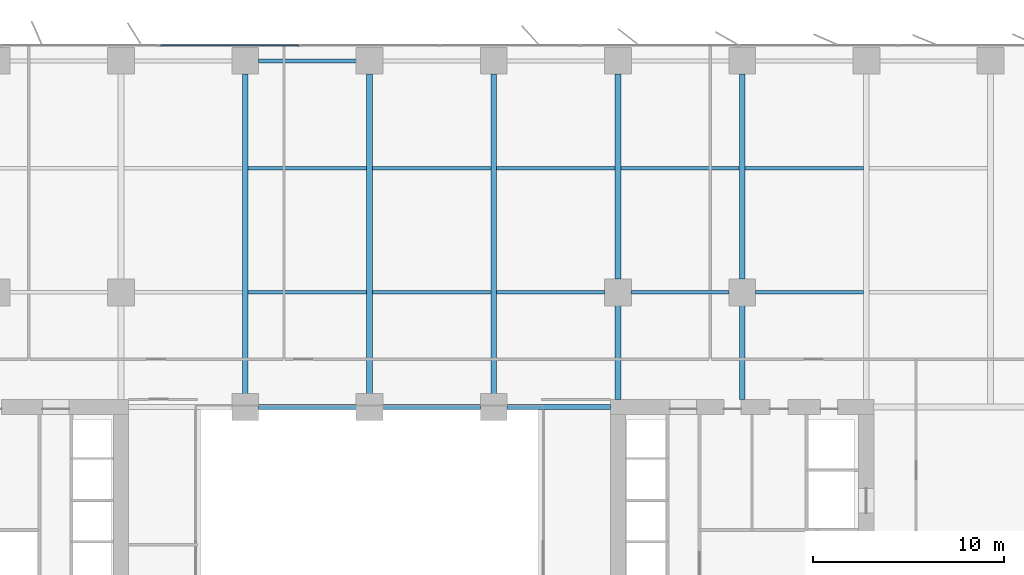
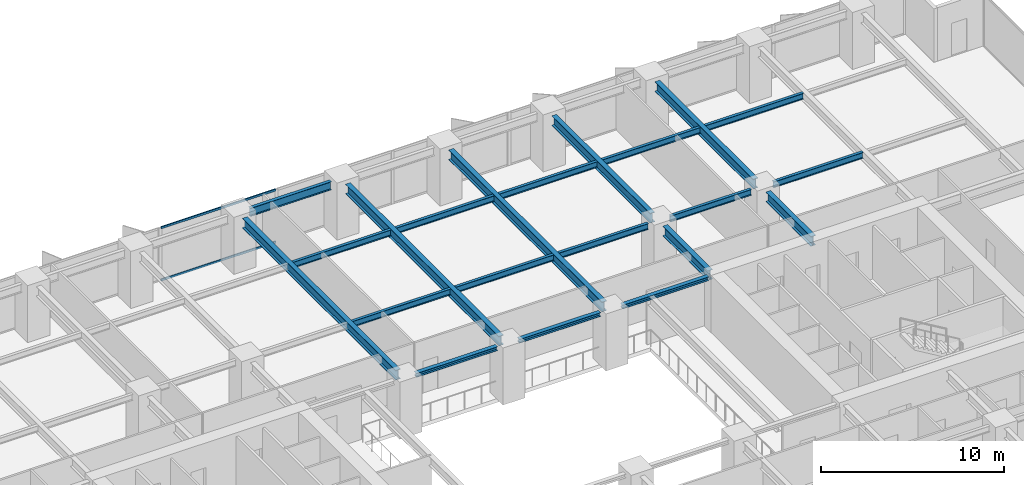
# One storey, part 8 of 20: 21 beams, 2 members, 1 element without a shape of its own.
"""IFC4 building model written with IfcOpenShell, lengths in metres."""

from ifc_helpers import new_model, si_unit, direction, frame, origin, origin_2d, place, context, subcontext, project, spatial, rectangle, i_section, extrude, material, layer, layer_set, material_profile, profile_set, type_object, element, aggregate, save


model = new_model("IFC4")

# Units and contexts
model_context = context("Model", 3, precision=1e-05, world=origin(), true_north=direction((0.0, 1.0)))
body_context = subcontext(model_context, "Body", "Model", "MODEL_VIEW")
ifc_project = project(units=[si_unit("LENGTHUNIT", "METRE"), si_unit("AREAUNIT", "SQUARE_METRE"), si_unit("VOLUMEUNIT", "CUBIC_METRE"), si_unit("PLANEANGLEUNIT", "RADIAN"), si_unit("MASSUNIT", "GRAM", prefix="KILO")], contexts=[model_context])

# Site, building, storey
site_placement = place(None, origin())
site = spatial("IfcSite", under=ifc_project, at=site_placement, CompositionType="ELEMENT")
building_placement = place(site_placement, origin())
building = spatial("IfcBuilding", under=site, at=building_placement, Name="Putna Gate Headquarters", CompositionType="ELEMENT")
storey_placement = place(building_placement, frame((0.0, 0.0, 69.60009765625)))
storey = spatial("IfcBuildingStorey", under=building, at=storey_placement, Name="L16", CompositionType="ELEMENT", Elevation=69.60009765625)

# Beams
ifc_material_1 = material(Name="Steel S355J2", Category="steel")
ifc_material_profile_1 = material_profile(ifc_material_1, i_section(OverallWidth=0.260009765625, OverallDepth=0.260009765625, WebThickness=0.010009765625, FlangeThickness=0.017578125, at=origin_2d()), Name="Steel S355J2")
ifc_profile_set_1 = profile_set([ifc_material_profile_1], Name="Steel S355J2")
beam_type_1 = type_object("IfcBeamType", Name="BM-ATRIUM-HEB260", PredefinedType="BEAM", material=ifc_profile_set_1)
for number, where, z_axis, x_axis, name in (
    (1, (33.18798828125, 33.0, 3.419921875), (1.0, 0.0, 0.0), (0.0, 1.0, 0.0), "L16 Atrium Edge Beam AN2"),
    (2, (39.68798828125, 33.0, 3.419921875), (1.0, 0.0, 0.0), (0.0, 1.0, 0.0), "L16 Atrium Edge Beam AN3"),
):
    element("IfcBeam", number, at=place(storey_placement, frame(where, z_axis=z_axis, x_axis=x_axis)), inside=storey, type_object=beam_type_1, Name=name, PredefinedType="BEAM", context=body_context, shape_type="SweptSolid", body=[
        extrude(i_section(OverallWidth=0.260009765625, OverallDepth=0.260009765625, WebThickness=0.010009765625, FlangeThickness=0.017578125, at=origin_2d()), origin(), (0.0, 0.0, 1.0), 5.1240234375),
    ])
beam_1_placement = place(storey_placement, frame((46.18798828125, 33.0, 3.419921875), z_axis=(1.0, 0.0, 0.0), x_axis=(0.0, 1.0, 0.0)))
element("IfcBeam", 3, at=beam_1_placement, inside=storey, type_object=beam_type_1, Name="L16 Atrium Edge Beam AN4", PredefinedType="BEAM", context=body_context, shape_type="SweptSolid", body=[
    extrude(i_section(OverallWidth=0.260009765625, OverallDepth=0.260009765625, WebThickness=0.010009765625, FlangeThickness=0.017578125, at=origin_2d()), origin(), (0.0, 0.0, 1.0), 5.427001953125),
])
ifc_material_profile_2 = material_profile(ifc_material_1, i_section(OverallWidth=0.300048828125, OverallDepth=0.64990234375, WebThickness=0.01611328125, FlangeThickness=0.031005859375, at=origin_2d()), Name="Steel S355J2")
ifc_profile_set_2 = profile_set([ifc_material_profile_2], Name="Steel S355J2")
beam_type_2 = type_object("IfcBeamType", Name="BM-GIRD-Z1-HEB650", PredefinedType="USERDEFINED", material=ifc_profile_set_2)
for number, where, z_axis, x_axis, name in (
    (4, (32.5, 33.68798828125, 3.224853515625), (0.0, 1.0, 0.0), (-1.0, 0.0, 0.0), "L16 North Primary Girder X32"),
    (5, (39.0, 33.68798828125, 3.224853515625), (0.0, 1.0, 0.0), (-1.0, 0.0, 0.0), "L16 North Primary Girder X39"),
    (6, (45.5, 33.68798828125, 3.224853515625), (0.0, 1.0, 0.0), (-1.0, 0.0, 0.0), "L16 North Primary Girder X45"),
):
    element("IfcBeam", number, at=place(storey_placement, frame(where, z_axis=z_axis, x_axis=x_axis)), inside=storey, type_object=beam_type_2, Name=name, ObjectType="GIRDER", PredefinedType="USERDEFINED", context=body_context, shape_type="SweptSolid", body=[
        extrude(i_section(OverallWidth=0.300048828125, OverallDepth=0.64990234375, WebThickness=0.01611328125, FlangeThickness=0.031005859375, at=origin_2d()), origin(), (0.0, 0.0, 1.0), 16.743896484375),
    ])
beam_2_placement = place(storey_placement, frame((52.0, 33.385009765625, 3.224853515625), z_axis=(0.0, 1.0, 0.0), x_axis=(-1.0, 0.0, 0.0)))
element("IfcBeam", 7, at=beam_2_placement, inside=storey, type_object=beam_type_2, Name="L16 North Primary Girder X52-1", ObjectType="GIRDER", PredefinedType="USERDEFINED", context=body_context, shape_type="SweptSolid", body=[
    extrude(i_section(OverallWidth=0.300048828125, OverallDepth=0.64990234375, WebThickness=0.01611328125, FlangeThickness=0.031005859375, at=origin_2d()), origin(), (0.0, 0.0, 1.0), 4.927001953125),
])
beam_3_placement = place(storey_placement, frame((52.0, 39.68798828125, 3.224853515625), z_axis=(0.0, 1.0, 0.0), x_axis=(-1.0, 0.0, 0.0)))
element("IfcBeam", 8, at=beam_3_placement, inside=storey, type_object=beam_type_2, Name="L16 North Primary Girder X52-2", ObjectType="GIRDER", PredefinedType="USERDEFINED", context=body_context, shape_type="SweptSolid", body=[
    extrude(i_section(OverallWidth=0.300048828125, OverallDepth=0.64990234375, WebThickness=0.01611328125, FlangeThickness=0.031005859375, at=origin_2d()), origin(), (0.0, 0.0, 1.0), 10.743896484375),
])
beam_4_placement = place(storey_placement, frame((58.5, 33.385009765625, 3.224853515625), z_axis=(0.0, 1.0, 0.0), x_axis=(-1.0, 0.0, 0.0)))
element("IfcBeam", 9, at=beam_4_placement, inside=storey, type_object=beam_type_2, Name="L16 North Primary Girder X58-1", ObjectType="GIRDER", PredefinedType="USERDEFINED", context=body_context, shape_type="SweptSolid", body=[
    extrude(i_section(OverallWidth=0.300048828125, OverallDepth=0.64990234375, WebThickness=0.01611328125, FlangeThickness=0.031005859375, at=origin_2d()), origin(), (0.0, 0.0, 1.0), 4.927001953125),
])
beam_5_placement = place(storey_placement, frame((58.5, 39.68798828125, 3.224853515625), z_axis=(0.0, 1.0, 0.0), x_axis=(-1.0, 0.0, 0.0)))
element("IfcBeam", 10, at=beam_5_placement, inside=storey, type_object=beam_type_2, Name="L16 North Primary Girder X58-2", ObjectType="GIRDER", PredefinedType="USERDEFINED", context=body_context, shape_type="SweptSolid", body=[
    extrude(i_section(OverallWidth=0.300048828125, OverallDepth=0.64990234375, WebThickness=0.01611328125, FlangeThickness=0.031005859375, at=origin_2d()), origin(), (0.0, 0.0, 1.0), 10.743896484375),
])
ifc_material_profile_3 = material_profile(ifc_material_1, i_section(OverallWidth=0.179931640625, OverallDepth=0.39990234375, WebThickness=0.008544921875, FlangeThickness=0.013427734375, at=origin_2d()), Name="Steel S355J2")
ifc_profile_set_3 = profile_set([ifc_material_profile_3], Name="Steel S355J2")
beam_type_3 = type_object("IfcBeamType", Name="BM-SEC-Z1-IPE400", PredefinedType="BEAM", material=ifc_profile_set_3)
for number, where, z_axis, x_axis, name in (
    (11, (32.654052734375, 39.0, 3.349853515625), (1.0, 0.0, 0.0), (0.0, 1.0, 0.0), "L16 North Secondary Beam 5"),
    (12, (32.654052734375, 45.5, 3.349853515625), (1.0, 0.0, 0.0), (0.0, 1.0, 0.0), "L16 North Secondary Beam 5"),
    (13, (39.154052734375, 39.0, 3.349853515625), (1.0, 0.0, 0.0), (0.0, 1.0, 0.0), "L16 North Secondary Beam 6"),
    (14, (39.154052734375, 45.5, 3.349853515625), (1.0, 0.0, 0.0), (0.0, 1.0, 0.0), "L16 North Secondary Beam 6"),
):
    element("IfcBeam", number, at=place(storey_placement, frame(where, z_axis=z_axis, x_axis=x_axis)), inside=storey, type_object=beam_type_3, Name=name, PredefinedType="BEAM", context=body_context, shape_type="SweptSolid", body=[
        extrude(i_section(OverallWidth=0.179931640625, OverallDepth=0.39990234375, WebThickness=0.008544921875, FlangeThickness=0.013427734375, at=origin_2d()), origin(), (0.0, 0.0, 1.0), 6.19189453125),
    ])
beam_6_placement = place(storey_placement, frame((45.654052734375, 39.0, 3.349853515625), z_axis=(1.0, 0.0, 0.0), x_axis=(0.0, 1.0, 0.0)))
element("IfcBeam", 15, at=beam_6_placement, inside=storey, type_object=beam_type_3, Name="L16 North Secondary Beam 7", PredefinedType="BEAM", context=body_context, shape_type="SweptSolid", body=[
    extrude(i_section(OverallWidth=0.179931640625, OverallDepth=0.39990234375, WebThickness=0.008544921875, FlangeThickness=0.013427734375, at=origin_2d()), origin(), (0.0, 0.0, 1.0), 5.657958984375),
])
beam_7_placement = place(storey_placement, frame((45.654052734375, 45.5, 3.349853515625), z_axis=(1.0, 0.0, 0.0), x_axis=(0.0, 1.0, 0.0)))
element("IfcBeam", 16, at=beam_7_placement, inside=storey, type_object=beam_type_3, Name="L16 North Secondary Beam 7", PredefinedType="BEAM", context=body_context, shape_type="SweptSolid", body=[
    extrude(i_section(OverallWidth=0.179931640625, OverallDepth=0.39990234375, WebThickness=0.008544921875, FlangeThickness=0.013427734375, at=origin_2d()), origin(), (0.0, 0.0, 1.0), 6.19189453125),
])
beam_8_placement = place(storey_placement, frame((52.68798828125, 39.0, 3.349853515625), z_axis=(1.0, 0.0, 0.0), x_axis=(0.0, 1.0, 0.0)))
element("IfcBeam", 17, at=beam_8_placement, inside=storey, type_object=beam_type_3, Name="L16 North Secondary Beam 8", PredefinedType="BEAM", context=body_context, shape_type="SweptSolid", body=[
    extrude(i_section(OverallWidth=0.179931640625, OverallDepth=0.39990234375, WebThickness=0.008544921875, FlangeThickness=0.013427734375, at=origin_2d()), origin(), (0.0, 0.0, 1.0), 5.1240234375),
])
beam_9_placement = place(storey_placement, frame((52.154052734375, 45.5, 3.349853515625), z_axis=(1.0, 0.0, 0.0), x_axis=(0.0, 1.0, 0.0)))
element("IfcBeam", 18, at=beam_9_placement, inside=storey, type_object=beam_type_3, Name="L16 North Secondary Beam 8", PredefinedType="BEAM", context=body_context, shape_type="SweptSolid", body=[
    extrude(i_section(OverallWidth=0.179931640625, OverallDepth=0.39990234375, WebThickness=0.008544921875, FlangeThickness=0.013427734375, at=origin_2d()), origin(), (0.0, 0.0, 1.0), 6.19189453125),
])
beam_10_placement = place(storey_placement, frame((59.18798828125, 39.0, 3.349853515625), z_axis=(1.0, 0.0, 0.0), x_axis=(0.0, 1.0, 0.0)))
element("IfcBeam", 19, at=beam_10_placement, inside=storey, type_object=beam_type_3, Name="L16 North Secondary Beam 9", PredefinedType="BEAM", context=body_context, shape_type="SweptSolid", body=[
    extrude(i_section(OverallWidth=0.179931640625, OverallDepth=0.39990234375, WebThickness=0.008544921875, FlangeThickness=0.013427734375, at=origin_2d()), origin(), (0.0, 0.0, 1.0), 5.657958984375),
])
beam_11_placement = place(storey_placement, frame((58.654052734375, 45.5, 3.349853515625), z_axis=(1.0, 0.0, 0.0), x_axis=(0.0, 1.0, 0.0)))
element("IfcBeam", 20, at=beam_11_placement, inside=storey, type_object=beam_type_3, Name="L16 North Secondary Beam 9", PredefinedType="BEAM", context=body_context, shape_type="SweptSolid", body=[
    extrude(i_section(OverallWidth=0.179931640625, OverallDepth=0.39990234375, WebThickness=0.008544921875, FlangeThickness=0.013427734375, at=origin_2d()), origin(), (0.0, 0.0, 1.0), 6.19189453125),
])
ifc_material_profile_4 = material_profile(ifc_material_1, i_section(OverallWidth=0.2099609375, OverallDepth=0.550048828125, WebThickness=0.010986328125, FlangeThickness=0.01708984375, at=origin_2d()), Name="Steel S355J2")
ifc_profile_set_4 = profile_set([ifc_material_profile_4], Name="Steel S355J2")
beam_type_4 = type_object("IfcBeamType", Name="BM-SPAN-Z1-IPE550", PredefinedType="SPANDREL", material=ifc_profile_set_4)
beam_12_placement = place(storey_placement, frame((33.18798828125, 51.1201171875, 3.27490234375), z_axis=(1.0, 0.0, 0.0), x_axis=(0.0, 1.0, 0.0)))
element("IfcBeam", 21, at=beam_12_placement, inside=storey, type_object=beam_type_4, Name="L16 N Perimeter Spandrel 5", PredefinedType="SPANDREL", context=body_context, shape_type="SweptSolid", body=[
    extrude(i_section(OverallWidth=0.2099609375, OverallDepth=0.550048828125, WebThickness=0.010986328125, FlangeThickness=0.01708984375, at=origin_2d()), origin(), (0.0, 0.0, 1.0), 5.1240234375),
])

# Curtain wall, members
ifc_material_2 = material(Name="Anodised bronze aluminium curtain wall", Category="aluminium")
ifc_layer = layer(ifc_material_2, 0.179931640625)
ifc_layer_set = layer_set([ifc_layer], Name="Anodised bronze aluminium curtain wall")
curtain_wall_type = type_object("IfcCurtainWallType", Name="CW-SYS-ATR", PredefinedType="USERDEFINED", material=ifc_layer_set)
curtain_wall_placement = place(storey_placement, origin())
curtain_wall = element("IfcCurtainWall", 22, at=curtain_wall_placement, inside=storey, type_object=curtain_wall_type, Name="L16 North Atrium Clear Glazing", ObjectType="ATRIUM GLAZING", PredefinedType="USERDEFINED")
ifc_material_3 = material(Name="Anodised bronze aluminium EN AW-6060", Category="aluminium")
ifc_material_profile_5 = material_profile(ifc_material_3, rectangle(XDim=0.070068359375, YDim=0.139892578125, at=origin_2d()), Name="Anodised bronze aluminium EN AW-6060")
ifc_profile_set_5 = profile_set([ifc_material_profile_5], Name="Anodised bronze aluminium EN AW-6060")
member_type = type_object("IfcMemberType", Name="TRAN-CWT-AT", PredefinedType="USERDEFINED", material=ifc_profile_set_5)
member_1_placement = place(storey_placement, frame((28.070068359375, 51.919921875, 0.034912109375), z_axis=(1.0, 0.0, 0.0), x_axis=(0.0, 1.0, 0.0)))
member_1 = element("IfcMember", 23, at=member_1_placement, type_object=member_type, Name="CWS-AT transom 1.1", ObjectType="TRANSOM", PredefinedType="USERDEFINED", context=body_context, shape_type="SweptSolid", body=[
    extrude(rectangle(XDim=0.070068359375, YDim=0.139892578125, at=origin_2d()), origin(), (0.0, 0.0, 1.0), 7.228271484375),
])
member_2_placement = place(storey_placement, frame((28.070068359375, 51.919921875, 3.514892578125), z_axis=(1.0, 0.0, 0.0), x_axis=(0.0, 1.0, 0.0)))
member_2 = element("IfcMember", 24, at=member_2_placement, type_object=member_type, Name="CWS-AT transom 1.2", ObjectType="TRANSOM", PredefinedType="USERDEFINED", context=body_context, shape_type="SweptSolid", body=[
    extrude(rectangle(XDim=0.070068359375, YDim=0.139892578125, at=origin_2d()), origin(), (0.0, 0.0, 1.0), 7.228271484375),
])
aggregate(curtain_wall, [member_1, member_2])

save(model, "model.ifc")
